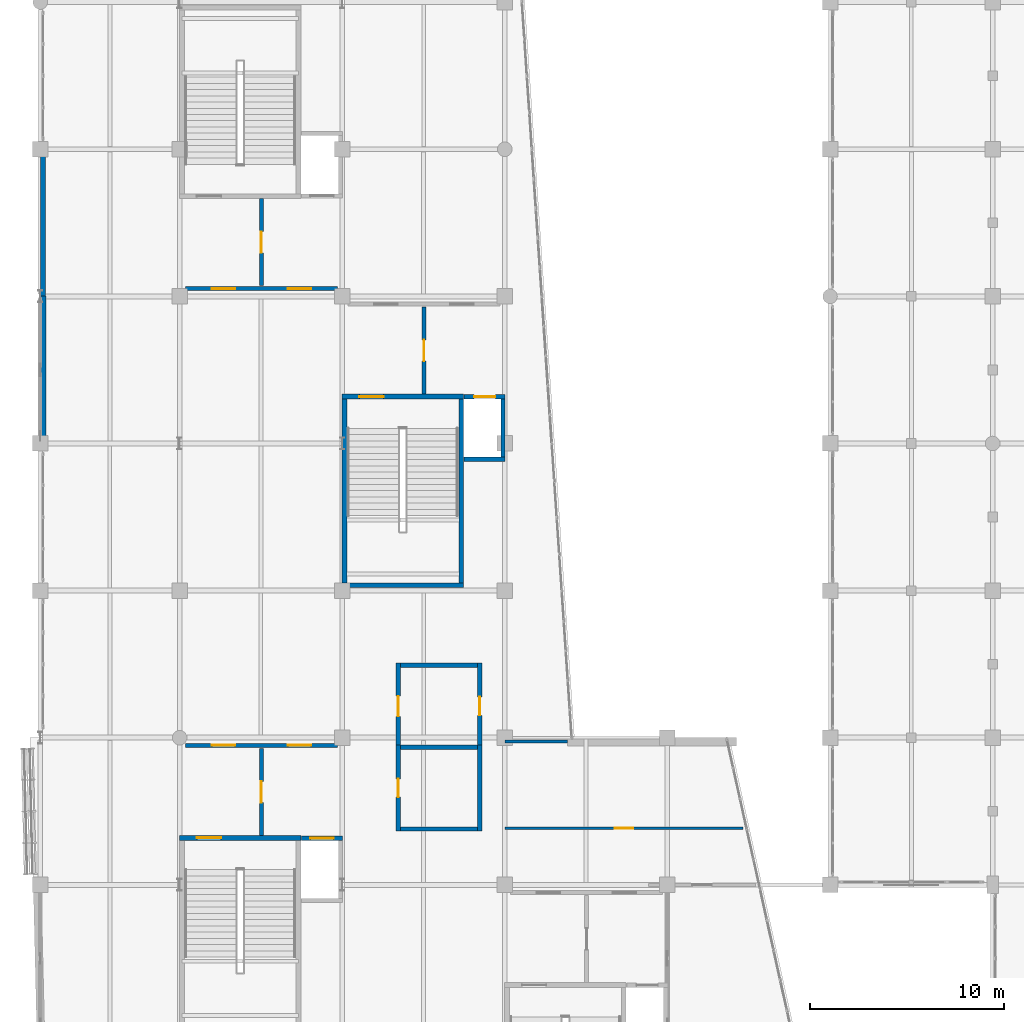
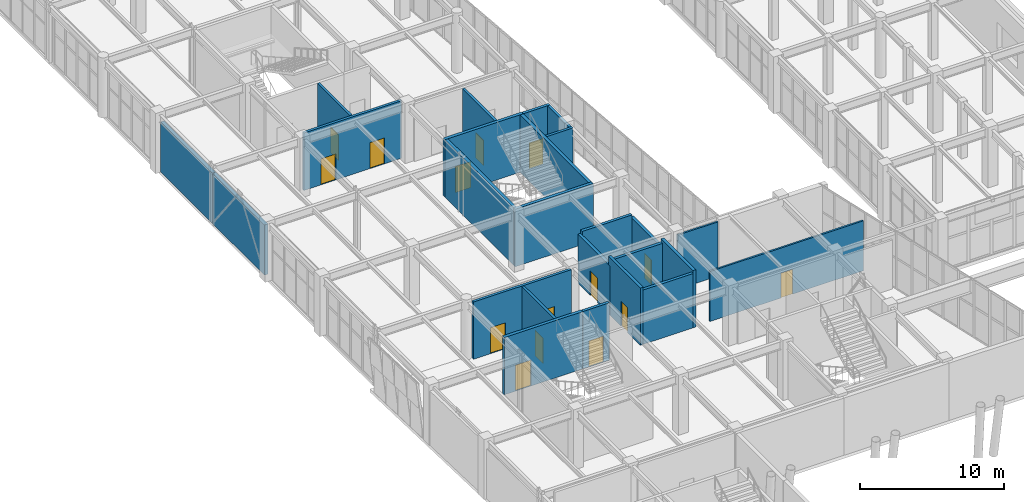
# One storey, part 111 of 128: 25 walls, 15 doors, 15 openings.
"""IFC4 building model written with IfcOpenShell, lengths in metres."""

import ifcopenshell
import ifcopenshell.guid

model = None  # the IFC model being written
_history = None  # IfcOwnerHistory: only IFC2X3 demands one
_inside = {}  # id of a spatial element -> (the spatial element, [elements in it])
_under = {}  # id of a project, library or spatial element -> (it, [spatial elements below it])
_declared = {}  # id of a project -> (the project, [libraries it declares])
_typed = {}  # id of a type object -> (the type object, [elements of that type])
_made_of = {}  # id of a material, layer set ... -> (it, [elements and type objects made of it])


def new_model(schema):
    """Start an empty IFC model of exactly this schema.

    Asked for "IFC4X3", IfcOpenShell would pick the latest addendum, in which some entities
    have other attributes; the version numbers below select the first issue.
    IFC2X3 requires an IfcOwnerHistory on every rooted entity: one is made here for all.
    """
    global model, _history
    if schema == "IFC4X3":
        model = ifcopenshell.file(schema_version=(4, 3, 0, 0))
    else:
        model = ifcopenshell.file(schema=schema)
    _inside.clear()
    _under.clear()
    _declared.clear()
    _typed.clear()
    _made_of.clear()
    _history = None
    if model.schema == "IFC2X3":
        org = make("IfcOrganization", Name="unknown")
        user = make(
            "IfcPersonAndOrganization",
            ThePerson=make("IfcPerson", FamilyName="unknown"),
            TheOrganization=org,
        )
        app = make(
            "IfcApplication",
            ApplicationDeveloper=org,
            Version="unknown",
            ApplicationFullName="unknown",
            ApplicationIdentifier="unknown",
        )
        _history = make(
            "IfcOwnerHistory",
            OwningUser=user,
            OwningApplication=app,
            ChangeAction="ADDED",
            CreationDate=0,
        )
    return model


def make(cls, **values):
    """One entity of the class cls with the attributes given. An attribute that is None is left unset."""
    return model.create_entity(
        cls, **{name: value for name, value in values.items() if value is not None}
    )


def rooted(cls, **values):
    """An entity with a GlobalId (a new one), such as an element, a storey or a relation."""
    return make(cls, GlobalId=ifcopenshell.guid.new(), OwnerHistory=_history, **values)


def si_unit(unit_type, name, prefix=None):
    """IfcSIUnit, for example si_unit("LENGTHUNIT", "METRE", prefix="MILLI")."""
    return make("IfcSIUnit", UnitType=unit_type, Prefix=prefix, Name=name)


def assignment(units):
    """IfcUnitAssignment: the units of a project."""
    return None if units is None else make("IfcUnitAssignment", Units=units)


def point(xyz):
    """IfcCartesianPoint."""
    return None if xyz is None else make("IfcCartesianPoint", Coordinates=xyz)


def direction(xyz):
    """IfcDirection."""
    return None if xyz is None else make("IfcDirection", DirectionRatios=xyz)


def frame(location, z_axis=None, x_axis=None):
    """IfcAxis2Placement3D, a coordinate frame: its origin and axes. An axis left out is left unset."""
    return make(
        "IfcAxis2Placement3D",
        Location=point(location),
        Axis=direction(z_axis),
        RefDirection=direction(x_axis),
    )


def frame_2d(location, x_axis=None):
    """IfcAxis2Placement2D, a coordinate frame in the plane: its origin and x axis."""
    return make(
        "IfcAxis2Placement2D", Location=point(location), RefDirection=direction(x_axis)
    )


def origin():
    """The frame at (0, 0, 0) with its axes left unset."""
    return frame((0.0, 0.0, 0.0))


def place(relative_to, where):
    """IfcLocalPlacement: puts the frame where relative to a parent placement (None: the world)."""
    return make(
        "IfcLocalPlacement", PlacementRelTo=relative_to, RelativePlacement=where
    )


def context(
    kind, dimensions, precision=None, world=None, true_north=None, identifier=None
):
    """IfcGeometricRepresentationContext, for example the 3D "Model" context."""
    return make(
        "IfcGeometricRepresentationContext",
        ContextIdentifier=identifier,
        ContextType=kind,
        CoordinateSpaceDimension=dimensions,
        Precision=precision,
        WorldCoordinateSystem=world,
        TrueNorth=true_north,
    )


def subcontext(parent, identifier, kind, view, scale=None):
    """IfcGeometricRepresentationSubContext, for example "Body" below "Model"."""
    return make(
        "IfcGeometricRepresentationSubContext",
        ContextIdentifier=identifier,
        ContextType=kind,
        ParentContext=parent,
        TargetScale=scale,
        TargetView=view,
    )


def project(units=None, contexts=None):
    """IfcProject with its units and contexts."""
    return rooted(
        "IfcProject",
        Name="project",
        RepresentationContexts=contexts,
        UnitsInContext=assignment(units),
    )


def spatial(cls, under=None, at=None, **own):
    """A site, building, storey or space (cls), placed at a placement, below another one or the project."""
    s = rooted(cls, ObjectPlacement=at, **own)
    if under is not None:
        _under.setdefault(under.id(), (under, []))[1].append(s)
    return s


def profile(cls, at=None, kind="AREA", **sizes):
    """A parametric profile (cls). Its sizes go by their IFC names, for example OverallWidth=200.0."""
    return make(cls, ProfileType=kind, Position=at, **sizes)


def rectangle(**sizes):
    """IfcRectangleProfileDef."""
    return profile("IfcRectangleProfileDef", **sizes)


def extrude(swept, where, along, depth):
    """IfcExtrudedAreaSolid: the profile swept, set in the frame where, extruded along a direction by depth."""
    return make(
        "IfcExtrudedAreaSolid",
        SweptArea=swept,
        Position=where,
        ExtrudedDirection=direction(along),
        Depth=depth,
    )


def shape(context_of_items, identifier, shape_type, items):
    """IfcShapeRepresentation: the items that make up one representation, for example the "Body"."""
    return make(
        "IfcShapeRepresentation",
        ContextOfItems=context_of_items,
        RepresentationIdentifier=identifier,
        RepresentationType=shape_type,
        Items=items,
    )


def material(Name=None, Category=None):
    """IfcMaterial."""
    return make("IfcMaterial", Name=Name, Category=Category)


def layer(
    of_material, thickness, ventilated=None, Name=None, Category=None, Priority=None
):
    """IfcMaterialLayer: one layer of a wall or slab, of a material (None: an air gap)."""
    return make(
        "IfcMaterialLayer",
        Material=of_material,
        LayerThickness=thickness,
        IsVentilated=ventilated,
        Name=Name,
        Category=Category,
        Priority=Priority,
    )


def layer_set(layers, Name=None):
    """IfcMaterialLayerSet."""
    return make("IfcMaterialLayerSet", MaterialLayers=layers, LayerSetName=Name)


def made_of(thing, what):
    """Note that an element or type object is made of a material, layer set ...; save() writes the relation."""
    if what is not None:
        _made_of.setdefault(what.id(), (what, []))[1].append(thing)
    return thing


def type_object(cls, material=None, **own):
    """A type object (cls), such as IfcWallType, which elements share."""
    return made_of(rooted(cls, **own), material)


def element(
    cls,
    number,
    at=None,
    inside=None,
    cuts=None,
    type_object=None,
    material=None,
    context=None,
    identifier="Body",
    shape_type=None,
    held_by="IfcProductDefinitionShape",
    body=None,
    shapes=None,
    **own,
):
    """One element of the class cls, such as IfcWall. Its Tag is "e" and its number.

    at: its placement. inside: the storey or other place that contains it. cuts: it is an
    opening in that element (IfcRelVoidsElement). A single representation is given by context,
    identifier, shape_type and body (its items); several are given by shapes. held_by: the class
    of the entity that holds the representations. save() writes the other relations.
    """
    e = rooted(cls, Tag="e%d" % number, ObjectPlacement=at, **own)
    if body is not None:
        shapes = [shape(context, identifier, shape_type, body)]
    if shapes is not None:
        e.Representation = make(held_by, Representations=shapes)
    if inside is not None:
        _inside.setdefault(inside.id(), (inside, []))[1].append(e)
    if cuts is not None:
        rooted(
            "IfcRelVoidsElement", RelatingBuildingElement=cuts, RelatedOpeningElement=e
        )
    if type_object is not None:
        _typed.setdefault(type_object.id(), (type_object, []))[1].append(e)
    return made_of(e, material)


def fill(opening, filler):
    """IfcRelFillsElement: the door or window that sits in an opening."""
    return rooted(
        "IfcRelFillsElement",
        RelatingOpeningElement=opening,
        RelatedBuildingElement=filler,
    )


def aggregate(whole, parts):
    """IfcRelAggregates: a whole, such as a stair, and the parts it consists of."""
    return rooted("IfcRelAggregates", RelatingObject=whole, RelatedObjects=parts)


def save(model, path):
    """Write the relations noted so far, then the file.

    IfcRelAggregates (storeys below a building ...), IfcRelContainedInSpatialStructure (elements
    in a storey), IfcRelDefinesByType, IfcRelAssociatesMaterial and IfcRelDeclares: one each for
    every whole, place, type object, material and project.
    """
    for whole, parts in _under.values():
        aggregate(whole, parts)
    for where, things in _inside.values():
        rooted(
            "IfcRelContainedInSpatialStructure",
            RelatedElements=things,
            RelatingStructure=where,
        )
    for kind, things in _typed.values():
        rooted("IfcRelDefinesByType", RelatedObjects=things, RelatingType=kind)
    for what, things in _made_of.values():
        rooted("IfcRelAssociatesMaterial", RelatedObjects=things, RelatingMaterial=what)
    for by, libraries in _declared.values():
        rooted("IfcRelDeclares", RelatingContext=by, RelatedDefinitions=libraries)
    model.write(path)


model = new_model("IFC4")

# Units and contexts
model_context = context("Model", 3, precision=1e-05, world=origin(), true_north=direction((0.0, 1.0)))
body_context = subcontext(model_context, "Body", "Model", "MODEL_VIEW")
ifc_project = project(units=[si_unit("LENGTHUNIT", "METRE"), si_unit("AREAUNIT", "SQUARE_METRE"), si_unit("VOLUMEUNIT", "CUBIC_METRE"), si_unit("PLANEANGLEUNIT", "RADIAN"), si_unit("MASSUNIT", "GRAM", prefix="KILO")], contexts=[model_context])

# Site, building, storey
site_placement = place(None, origin())
site = spatial("IfcSite", under=ifc_project, at=site_placement, CompositionType="ELEMENT")
building_placement = place(site_placement, origin())
building = spatial("IfcBuilding", under=site, at=building_placement, Name="Xicomal Pleat Aquarium", CompositionType="ELEMENT")
storey_placement = place(building_placement, frame((0.0, 0.0, 5.39990234375)))
storey = spatial("IfcBuildingStorey", under=building, at=storey_placement, Name="L02", CompositionType="ELEMENT", Elevation=5.39990234375)

# Wall, opening, door
ifc_material_1 = material(Name="Concrete C40/50", Category="concrete")
ifc_layer_1 = layer(ifc_material_1, 0.219970703125)
ifc_layer_set_1 = layer_set([ifc_layer_1], Name="Concrete C40/50")
wall_type_1 = type_object("IfcWallType", Name="WAL-COR-220", PredefinedType="SHEAR", material=ifc_layer_set_1)
wall_1_placement = place(storey_placement, frame((16.5, 32.81005859375, 0.0), z_axis=(0.0, 0.0, 1.0), x_axis=(1.0, 0.0, 0.0)))
wall_1 = element("IfcWall", 1, at=wall_1_placement, inside=storey, type_object=wall_type_1, Name="L02 LF-01 lift shaft wall CW-L02-C1-LN", PredefinedType="SHEAR", context=body_context, shape_type="SweptSolid", body=[
    extrude(rectangle(XDim=2.1201171875, YDim=0.219970703125, at=frame_2d((1.06005859375, 0.0))), origin(), (0.0, 0.0, 1.0), 4.860107421875),
])
opening_1_placement = place(wall_1_placement, frame((0.4599609375, 0.0, 0.0)))
opening_1 = element("IfcOpeningElement", 2, at=opening_1_placement, cuts=wall_1, Name="Opening LD-01-L02", PredefinedType="OPENING", context=body_context, shape_type="SweptSolid", body=[
    extrude(rectangle(XDim=1.199951171875, YDim=2.199951171875, at=frame_2d((0.60009765625, 1.10009765625))), frame((0.0, 0.119873046875, 0.0), z_axis=(0.0, -1.0, 0.0), x_axis=(1.0, 0.0, 0.0)), (0.0, 0.0, 1.0), 0.239990234375),
])
ifc_material_2 = material(Name="Brushed stainless steel 304", Category="steel")
door_type_1 = type_object("IfcDoorType", Name="DOR-LD-1200x2200", OperationType="DOUBLE_DOOR_SLIDING", PredefinedType="DOOR", material=ifc_material_2)
door_1_placement = place(opening_1_placement, origin())
door_1 = element("IfcDoor", 3, at=door_1_placement, inside=storey, type_object=door_type_1, Name="L02 LF-01 sliding lift landing door", OperationType="DOUBLE_DOOR_SLIDING", OverallHeight=2.199951171875, OverallWidth=1.199951171875, PredefinedType="DOOR", context=body_context, shape_type="SweptSolid", body=[
    extrude(rectangle(XDim=1.199951171875, YDim=2.199951171875, at=frame_2d((0.60009765625, 1.10009765625))), frame((0.0, 0.02490234375, 0.0), z_axis=(0.0, -1.0, 0.0), x_axis=(1.0, 0.0, 0.0)), (0.0, 0.0, 1.0), 0.050048828125),
])
fill(opening_1, door_1)

# Wall
wall_2_placement = place(storey_placement, frame((24.89990234375, 52.389892578125, 0.0), z_axis=(0.0, 0.0, 1.0), x_axis=(1.0, 0.0, 0.0)))
element("IfcWall", 4, at=wall_2_placement, inside=storey, type_object=wall_type_1, Name="L02 LF-04 lift shaft wall CW-L02-C4-LS", PredefinedType="SHEAR", context=body_context, shape_type="SweptSolid", body=[
    extrude(rectangle(XDim=2.1201171875, YDim=0.219970703125, at=frame_2d((1.06005859375, 0.0))), origin(), (0.0, 0.0, 1.0), 4.875),
])

# Wall, opening, door
wall_3_placement = place(storey_placement, frame((24.89990234375, 55.610107421875, 0.0), z_axis=(0.0, 0.0, 1.0), x_axis=(1.0, 0.0, 0.0)))
wall_3 = element("IfcWall", 5, at=wall_3_placement, inside=storey, type_object=wall_type_1, Name="L02 LF-04 lift shaft wall CW-L02-C4-LN", PredefinedType="SHEAR", context=body_context, shape_type="SweptSolid", body=[
    extrude(rectangle(XDim=2.1201171875, YDim=0.219970703125, at=frame_2d((1.06005859375, 0.0))), origin(), (0.0, 0.0, 1.0), 4.875),
])
opening_2_placement = place(wall_3_placement, frame((0.510009765625, 0.0, 0.0)))
opening_2 = element("IfcOpeningElement", 6, at=opening_2_placement, cuts=wall_3, Name="Opening LD-04-L02", PredefinedType="OPENING", context=body_context, shape_type="SweptSolid", body=[
    extrude(rectangle(XDim=1.10009765625, YDim=2.14990234375, at=frame_2d((0.550048828125, 1.074951171875))), frame((0.0, 0.119873046875, 0.0), z_axis=(0.0, -1.0, 0.0), x_axis=(1.0, 0.0, 0.0)), (0.0, 0.0, 1.0), 0.239990234375),
])
ifc_material_3 = material(Name="Brushed stainless steel 304", Category="steel")
door_type_2 = type_object("IfcDoorType", Name="DOR-LD-1100x2150", OperationType="DOUBLE_DOOR_SLIDING", PredefinedType="DOOR", material=ifc_material_3)
door_2_placement = place(opening_2_placement, origin())
door_2 = element("IfcDoor", 7, at=door_2_placement, inside=storey, type_object=door_type_2, Name="L02 LF-04 sliding lift landing door", OperationType="DOUBLE_DOOR_SLIDING", OverallHeight=2.14990234375, OverallWidth=1.10009765625, PredefinedType="DOOR", context=body_context, shape_type="SweptSolid", body=[
    extrude(rectangle(XDim=1.10009765625, YDim=2.14990234375, at=frame_2d((0.550048828125, 1.074951171875))), frame((0.0, 0.02490234375, 0.0), z_axis=(0.0, -1.0, 0.0), x_axis=(1.0, 0.0, 0.0)), (0.0, 0.0, 1.0), 0.050048828125),
])
fill(opening_2, door_2)

# Wall
wall_4_placement = place(storey_placement, frame((26.909912109375, 52.5, 0.0), z_axis=(0.0, 0.0, 1.0), x_axis=(0.0, 1.0, 0.0)))
element("IfcWall", 8, at=wall_4_placement, inside=storey, type_object=wall_type_1, Name="L02 LF-04 lift shaft wall CW-L02-C4-LE", PredefinedType="SHEAR", context=body_context, shape_type="SweptSolid", body=[
    extrude(rectangle(XDim=3.0, YDim=0.219970703125, at=frame_2d((1.5, 0.0))), origin(), (0.0, 0.0, 1.0), 4.875),
])

# Wall, opening, door
ifc_material_4 = material(Name="Concrete C40/50", Category="concrete")
ifc_layer_2 = layer(ifc_material_4, 0.25)
ifc_layer_set_2 = layer_set([ifc_layer_2], Name="Concrete C40/50")
wall_type_2 = type_object("IfcWallType", Name="WAL-COR-250", PredefinedType="SHEAR", material=ifc_layer_set_2)
wall_5_placement = place(storey_placement, frame((10.18994140625, 32.824951171875, 0.0), z_axis=(0.0, 0.0, 1.0), x_axis=(1.0, 0.0, 0.0)))
wall_5 = element("IfcWall", 9, at=wall_5_placement, inside=storey, type_object=wall_type_2, Name="L02 CORE-1 stair shear wall CW-L02-C1-SN", PredefinedType="SHEAR", context=body_context, shape_type="SweptSolid", body=[
    extrude(rectangle(XDim=6.280029296875, YDim=0.25, at=frame_2d((3.14013671875, 0.0))), origin(), (0.0, 0.0, 1.0), 4.860107421875),
])
opening_3_placement = place(wall_5_placement, frame((0.89990234375, 0.0, 0.0)))
opening_3 = element("IfcOpeningElement", 10, at=opening_3_placement, cuts=wall_5, Name="Opening SD-01-L02", PredefinedType="OPENING", context=body_context, shape_type="SweptSolid", body=[
    extrude(rectangle(XDim=1.25, YDim=2.199951171875, at=frame_2d((0.625, 1.10009765625))), frame((0.0, 0.135009765625, 0.0), z_axis=(0.0, -1.0, 0.0), x_axis=(1.0, 0.0, 0.0)), (0.0, 0.0, 1.0), 0.27001953125),
])
ifc_material_5 = material(Name="Powder-coated steel fire door", Category="steel")
door_type_3 = type_object("IfcDoorType", Name="DOR-ST-1250x2200", OperationType="NOTDEFINED", PredefinedType="DOOR", material=ifc_material_5)
door_3_placement = place(opening_3_placement, origin())
door_3 = element("IfcDoor", 11, at=door_3_placement, inside=storey, type_object=door_type_3, Name="L02 ST-01 protected stair door", OperationType="SINGLE_SWING_LEFT", OverallHeight=2.199951171875, OverallWidth=1.25, PredefinedType="DOOR", context=body_context, shape_type="SweptSolid", body=[
    extrude(rectangle(XDim=1.25, YDim=2.199951171875, at=frame_2d((0.625, 1.10009765625))), frame((0.0, 0.02490234375, 0.0), z_axis=(0.0, -1.0, 0.0), x_axis=(1.0, 0.0, 0.0)), (0.0, 0.0, 1.0), 0.050048828125),
])
fill(opening_3, door_3)

# Wall
wall_6_placement = place(storey_placement, frame((18.590087890625, 45.875, 0.0), z_axis=(0.0, 0.0, 1.0), x_axis=(1.0, 0.0, 0.0)))
element("IfcWall", 12, at=wall_6_placement, inside=storey, type_object=wall_type_2, Name="L02 CORE-4 stair shear wall CW-L02-C4-SS", PredefinedType="SHEAR", context=body_context, shape_type="SweptSolid", body=[
    extrude(rectangle(XDim=6.280029296875, YDim=0.25, at=frame_2d((3.14013671875, 0.0))), origin(), (0.0, 0.0, 1.0), 4.875),
])

# Wall, opening, door
wall_7_placement = place(storey_placement, frame((18.590087890625, 55.625, 0.0), z_axis=(0.0, 0.0, 1.0), x_axis=(1.0, 0.0, 0.0)))
wall_7 = element("IfcWall", 13, at=wall_7_placement, inside=storey, type_object=wall_type_2, Name="L02 CORE-4 stair shear wall CW-L02-C4-SN", PredefinedType="SHEAR", context=body_context, shape_type="SweptSolid", body=[
    extrude(rectangle(XDim=6.280029296875, YDim=0.25, at=frame_2d((3.14013671875, 0.0))), origin(), (0.0, 0.0, 1.0), 4.875),
])
opening_4_placement = place(wall_7_placement, frame((0.89990234375, 0.0, 0.0)))
opening_4 = element("IfcOpeningElement", 14, at=opening_4_placement, cuts=wall_7, Name="Opening SD-04-L02", PredefinedType="OPENING", context=body_context, shape_type="SweptSolid", body=[
    extrude(rectangle(XDim=1.25, YDim=2.199951171875, at=frame_2d((0.625, 1.10009765625))), frame((0.0, 0.135009765625, 0.0), z_axis=(0.0, -1.0, 0.0), x_axis=(1.0, 0.0, 0.0)), (0.0, 0.0, 1.0), 0.27001953125),
])
door_4_placement = place(opening_4_placement, origin())
door_4 = element("IfcDoor", 15, at=door_4_placement, inside=storey, type_object=door_type_3, Name="L02 ST-04 protected stair door", OperationType="SINGLE_SWING_LEFT", OverallHeight=2.199951171875, OverallWidth=1.25, PredefinedType="DOOR", context=body_context, shape_type="SweptSolid", body=[
    extrude(rectangle(XDim=1.25, YDim=2.199951171875, at=frame_2d((0.625, 1.10009765625))), frame((0.0, 0.02490234375, 0.0), z_axis=(0.0, -1.0, 0.0), x_axis=(1.0, 0.0, 0.0)), (0.0, 0.0, 1.0), 0.050048828125),
])
fill(opening_4, door_4)

# Walls
for number, where, z_axis, x_axis, name in (
    (16, (18.715087890625, 46.0, 0.0), (0.0, 0.0, 1.0), (0.0, 1.0, 0.0), "L02 CORE-4 stair shear wall CW-L02-C4-SW"),
    (17, (24.7451171875, 46.0, 0.0), (0.0, 0.0, 1.0), (0.0, 1.0, 0.0), "L02 CORE-4 stair shear wall CW-L02-C4-SE"),
):
    element("IfcWall", number, at=place(storey_placement, frame(where, z_axis=z_axis, x_axis=x_axis)), inside=storey, type_object=wall_type_2, Name=name, PredefinedType="SHEAR", context=body_context, shape_type="SweptSolid", body=[
        extrude(rectangle(XDim=9.5, YDim=0.25, at=frame_2d((4.75, 0.0))), origin(), (0.0, 0.0, 1.0), 4.875),
    ])
ifc_material_6 = material(Name="Precast concrete C40/50", Category="concrete")
ifc_layer_3 = layer(ifc_material_6, 0.280029296875)
ifc_layer_set_3 = layer_set([ifc_layer_3], Name="Precast concrete C40/50")
wall_type_3 = type_object("IfcWallType", Name="WAL-EXT-PRC-280", PredefinedType="SOLIDWALL", material=ifc_layer_set_3)
wall_8_placement = place(storey_placement, frame((3.139892578125, 60.820068359375, 0.0), z_axis=(0.0, 0.0, 1.0), x_axis=(0.0, 1.0, 0.0)))
element("IfcWall", 18, at=wall_8_placement, inside=storey, type_object=wall_type_3, Name="L02 exterior basalt-precast wall EW-L02-074", PredefinedType="SOLIDWALL", context=body_context, shape_type="SweptSolid", body=[
    extrude(rectangle(XDim=7.19482421875, YDim=0.280029296875, at=frame_2d((3.597412109375, 0.0))), origin(), (0.0, 0.0, 1.0), 4.253173828125),
])
ifc_material_7 = material(Name="Precast concrete C40/50", Category="concrete")
ifc_layer_4 = layer(ifc_material_7, 0.2900390625)
ifc_layer_set_4 = layer_set([ifc_layer_4], Name="Precast concrete C40/50")
wall_type_4 = type_object("IfcWallType", Name="WAL-EXT-PRC-290", PredefinedType="SOLIDWALL", material=ifc_layer_set_4)
wall_9_placement = place(storey_placement, frame((3.14501953125, 53.5849609375, 0.0), z_axis=(0.0, 0.0, 1.0), x_axis=(0.0, 1.0, 0.0)))
element("IfcWall", 19, at=wall_9_placement, inside=storey, type_object=wall_type_4, Name="L02 exterior basalt-precast wall EW-L02-073", PredefinedType="SOLIDWALL", context=body_context, shape_type="SweptSolid", body=[
    extrude(rectangle(XDim=7.235107421875, YDim=0.2900390625, at=frame_2d((3.61767578125, 0.0))), origin(), (0.0, 0.0, 1.0), 4.253173828125),
])

# Wall, opening, door
ifc_material_8 = material(Name="Water-resistant cement-board wet-lab partition", Category="gypsum")
ifc_layer_5 = layer(ifc_material_8, 0.22998046875)
ifc_layer_set_5 = layer_set([ifc_layer_5], Name="Water-resistant cement-board wet-lab partition")
wall_type_5 = type_object("IfcWallType", Name="WAL-PLB-230", PredefinedType="PLUMBINGWALL", material=ifc_layer_set_5)
wall_10_placement = place(storey_placement, frame((21.485107421875, 33.169921875, 0.0), z_axis=(0.0, 0.0, 1.0), x_axis=(0.0, 1.0, 0.0)))
wall_10 = element("IfcWall", 20, at=wall_10_placement, inside=storey, type_object=wall_type_5, Name="L02 enclosed toilet partition PT-L02-036", PredefinedType="PLUMBINGWALL", context=body_context, shape_type="SweptSolid", body=[
    extrude(rectangle(XDim=4.4599609375, YDim=0.22998046875, at=frame_2d((2.22998046875, 0.0))), origin(), (0.0, 0.0, 1.0), 4.860107421875),
])
opening_5_placement = place(wall_10_placement, frame((1.7548828125, 0.0, 0.0)))
opening_5 = element("IfcOpeningElement", 21, at=opening_5_placement, cuts=wall_10, Name="Opening DR-L02-019", PredefinedType="OPENING", context=body_context, shape_type="SweptSolid", body=[
    extrude(rectangle(XDim=0.949951171875, YDim=2.10009765625, at=frame_2d((0.47509765625, 1.050048828125))), frame((0.0, 0.125, 0.0), z_axis=(0.0, -1.0, 0.0), x_axis=(1.0, 0.0, 0.0)), (0.0, 0.0, 1.0), 0.25),
])
ifc_material_9 = material(Name="Solid-core hardwood and anodized aluminium frame", Category="wood")
door_type_4 = type_object("IfcDoorType", Name="DOR-WC-0950x2100", OperationType="NOTDEFINED", PredefinedType="DOOR", material=ifc_material_9)
door_5_placement = place(opening_5_placement, origin())
door_5 = element("IfcDoor", 22, at=door_5_placement, inside=storey, type_object=door_type_4, Name="L02 Public Toilet door DR-L02-019", OperationType="SINGLE_SWING_RIGHT", OverallHeight=2.10009765625, OverallWidth=0.949951171875, PredefinedType="DOOR", context=body_context, shape_type="SweptSolid", body=[
    extrude(rectangle(XDim=0.949951171875, YDim=2.10009765625, at=frame_2d((0.47509765625, 1.050048828125))), frame((0.0, 0.02490234375, 0.0), z_axis=(0.0, -1.0, 0.0), x_axis=(1.0, 0.0, 0.0)), (0.0, 0.0, 1.0), 0.050048828125),
])
fill(opening_5, door_5)

# Walls
wall_11_placement = place(storey_placement, frame((25.715087890625, 33.169921875, 0.0), z_axis=(0.0, 0.0, 1.0), x_axis=(0.0, 1.0, 0.0)))
element("IfcWall", 23, at=wall_11_placement, inside=storey, type_object=wall_type_5, Name="L02 enclosed toilet partition PT-L02-037", PredefinedType="PLUMBINGWALL", context=body_context, shape_type="SweptSolid", body=[
    extrude(rectangle(XDim=4.4599609375, YDim=0.22998046875, at=frame_2d((2.22998046875, 0.0))), origin(), (0.0, 0.0, 1.0), 4.860107421875),
])
for number, where, z_axis, x_axis, name in (
    (24, (21.60009765625, 33.284912109375, 0.0), (0.0, 0.0, 1.0), (1.0, 0.0, 0.0), "L02 enclosed toilet partition PT-L02-038"),
    (25, (21.60009765625, 37.514892578125, 0.0), (0.0, 0.0, 1.0), (1.0, 0.0, 0.0), "L02 enclosed toilet partition PT-L02-039"),
):
    element("IfcWall", number, at=place(storey_placement, frame(where, z_axis=z_axis, x_axis=x_axis)), inside=storey, type_object=wall_type_5, Name=name, PredefinedType="PLUMBINGWALL", context=body_context, shape_type="SweptSolid", body=[
        extrude(rectangle(XDim=4.0, YDim=0.22998046875, at=frame_2d((2.0, 0.0))), origin(), (0.0, 0.0, 1.0), 4.608154296875),
    ])

# Wall, opening, door
wall_12_placement = place(storey_placement, frame((21.485107421875, 37.39990234375, 0.0), z_axis=(0.0, 0.0, 1.0), x_axis=(0.0, 1.0, 0.0)))
wall_12 = element("IfcWall", 26, at=wall_12_placement, inside=storey, type_object=wall_type_5, Name="L02 enclosed toilet partition PT-L02-040", PredefinedType="PLUMBINGWALL", context=body_context, shape_type="SweptSolid", body=[
    extrude(rectangle(XDim=4.460205078125, YDim=0.22998046875, at=frame_2d((2.22998046875, 0.0))), origin(), (0.0, 0.0, 1.0), 4.162109375),
])
opening_6_placement = place(wall_12_placement, frame((1.705078125, 0.0, 0.0)))
opening_6 = element("IfcOpeningElement", 27, at=opening_6_placement, cuts=wall_12, Name="Opening DR-L02-020", PredefinedType="OPENING", context=body_context, shape_type="SweptSolid", body=[
    extrude(rectangle(XDim=1.050048828125, YDim=2.10009765625, at=frame_2d((0.52490234375, 1.050048828125))), frame((0.0, 0.125, 0.0), z_axis=(0.0, -1.0, 0.0), x_axis=(1.0, 0.0, 0.0)), (0.0, 0.0, 1.0), 0.25),
])
ifc_material_10 = material(Name="Solid-core hardwood and anodized aluminium frame", Category="wood")
door_type_5 = type_object("IfcDoorType", Name="DOR-AWC-1050x2100", OperationType="NOTDEFINED", PredefinedType="DOOR", material=ifc_material_10)
door_6_placement = place(opening_6_placement, origin())
door_6 = element("IfcDoor", 28, at=door_6_placement, inside=storey, type_object=door_type_5, Name="L02 Accessible Toilet door DR-L02-020", OperationType="SINGLE_SWING_LEFT", OverallHeight=2.10009765625, OverallWidth=1.050048828125, PredefinedType="DOOR", context=body_context, shape_type="SweptSolid", body=[
    extrude(rectangle(XDim=1.050048828125, YDim=2.10009765625, at=frame_2d((0.52490234375, 1.050048828125))), frame((0.0, 0.02490234375, 0.0), z_axis=(0.0, -1.0, 0.0), x_axis=(1.0, 0.0, 0.0)), (0.0, 0.0, 1.0), 0.050048828125),
])
fill(opening_6, door_6)

wall_13_placement = place(storey_placement, frame((25.715087890625, 37.39990234375, 0.0), z_axis=(0.0, 0.0, 1.0), x_axis=(0.0, 1.0, 0.0)))
wall_13 = element("IfcWall", 29, at=wall_13_placement, inside=storey, type_object=wall_type_5, Name="L02 enclosed toilet partition PT-L02-041", PredefinedType="PLUMBINGWALL", context=body_context, shape_type="SweptSolid", body=[
    extrude(rectangle(XDim=4.460205078125, YDim=0.22998046875, at=frame_2d((2.22998046875, 0.0))), origin(), (0.0, 0.0, 1.0), 4.162109375),
])
opening_7_placement = place(wall_13_placement, frame((1.7548828125, 0.0, 0.0)))
opening_7 = element("IfcOpeningElement", 30, at=opening_7_placement, cuts=wall_13, Name="Opening DR-L02-023", PredefinedType="OPENING", context=body_context, shape_type="SweptSolid", body=[
    extrude(rectangle(XDim=0.949951171875, YDim=2.10009765625, at=frame_2d((0.47509765625, 1.050048828125))), frame((0.0, 0.125, 0.0), z_axis=(0.0, -1.0, 0.0), x_axis=(1.0, 0.0, 0.0)), (0.0, 0.0, 1.0), 0.25),
])
door_7_placement = place(opening_7_placement, origin())
door_7 = element("IfcDoor", 31, at=door_7_placement, inside=storey, type_object=door_type_4, Name="L02 Highland Wetland Salamander Exhibit Gallery door DR-L02-023", OperationType="SINGLE_SWING_RIGHT", OverallHeight=2.10009765625, OverallWidth=0.949951171875, PredefinedType="DOOR", context=body_context, shape_type="SweptSolid", body=[
    extrude(rectangle(XDim=0.949951171875, YDim=2.10009765625, at=frame_2d((0.47509765625, 1.050048828125))), frame((0.0, 0.02490234375, 0.0), z_axis=(0.0, -1.0, 0.0), x_axis=(1.0, 0.0, 0.0)), (0.0, 0.0, 1.0), 0.050048828125),
])
fill(opening_7, door_7)

# Walls
wall_14_placement = place(storey_placement, frame((21.60009765625, 41.7451171875, 0.0), z_axis=(0.0, 0.0, 1.0), x_axis=(1.0, 0.0, 0.0)))
element("IfcWall", 32, at=wall_14_placement, inside=storey, type_object=wall_type_5, Name="L02 enclosed toilet partition PT-L02-042", PredefinedType="PLUMBINGWALL", context=body_context, shape_type="SweptSolid", body=[
    extrude(rectangle(XDim=4.0, YDim=0.22998046875, at=frame_2d((2.0, 0.0))), origin(), (0.0, 0.0, 1.0), 4.453125),
])
ifc_material_11 = material(Name="Acoustic double-stud drywall partition", Category="gypsum")
ifc_layer_6 = layer(ifc_material_11, 0.139892578125)
ifc_layer_set_6 = layer_set([ifc_layer_6], Name="Acoustic double-stud drywall partition")
wall_type_6 = type_object("IfcWallType", Name="WAL-PRT-140", PredefinedType="PARTITIONING", material=ifc_layer_set_6)
wall_15_placement = place(storey_placement, frame((27.0, 37.800048828125, 0.0), z_axis=(0.0, 0.0, 1.0), x_axis=(1.0, 0.0, 0.0)))
element("IfcWall", 33, at=wall_15_placement, inside=storey, type_object=wall_type_6, Name="L02 interior partition PT-L02-045", PredefinedType="PARTITIONING", context=body_context, shape_type="SweptSolid", body=[
    extrude(rectangle(XDim=3.239990234375, YDim=0.139892578125, at=frame_2d((1.6201171875, 0.0))), origin(), (0.0, 0.0, 1.0), 4.60498046875),
])

# Wall, opening, door
ifc_material_12 = material(Name="Acoustic double-stud drywall partition", Category="gypsum")
ifc_layer_7 = layer(ifc_material_12, 0.14599609375)
ifc_layer_set_7 = layer_set([ifc_layer_7], Name="Acoustic double-stud drywall partition")
wall_type_7 = type_object("IfcWallType", Name="WAL-PRT-146", PredefinedType="PARTITIONING", material=ifc_layer_set_7)
wall_16_placement = place(storey_placement, frame((39.31005859375, 33.320068359375, 0.0), z_axis=(0.0, 0.0, 1.0), x_axis=(-1.0, 0.0, 0.0)))
wall_16 = element("IfcWall", 34, at=wall_16_placement, inside=storey, type_object=wall_type_7, Name="L02 interior partition PT-L02-044", PredefinedType="PARTITIONING", context=body_context, shape_type="SweptSolid", body=[
    extrude(rectangle(XDim=12.31005859375, YDim=0.14599609375, at=frame_2d((6.155029296875, 0.0))), origin(), (0.0, 0.0, 1.0), 4.238037109375),
])
opening_8_placement = place(wall_16_placement, frame((5.679931640625, 0.0, 0.0)))
opening_8 = element("IfcOpeningElement", 35, at=opening_8_placement, cuts=wall_16, Name="Opening DR-L02-022", PredefinedType="OPENING", context=body_context, shape_type="SweptSolid", body=[
    extrude(rectangle(XDim=0.949951171875, YDim=2.10009765625, at=frame_2d((0.47509765625, 1.050048828125))), frame((0.0, 0.0830078125, 0.0), z_axis=(0.0, -1.0, 0.0), x_axis=(1.0, 0.0, 0.0)), (0.0, 0.0, 1.0), 0.166015625),
])
door_8_placement = place(opening_8_placement, origin())
door_8 = element("IfcDoor", 36, at=door_8_placement, inside=storey, type_object=door_type_4, Name="L02 Community Marine Discovery Room door DR-L02-022", OperationType="SINGLE_SWING_LEFT", OverallHeight=2.10009765625, OverallWidth=0.949951171875, PredefinedType="DOOR", context=body_context, shape_type="SweptSolid", body=[
    extrude(rectangle(XDim=0.949951171875, YDim=2.10009765625, at=frame_2d((0.47509765625, 1.050048828125))), frame((0.0, 0.02490234375, 0.0), z_axis=(0.0, -1.0, 0.0), x_axis=(1.0, 0.0, 0.0)), (0.0, 0.0, 1.0), 0.050048828125),
])
fill(opening_8, door_8)

ifc_material_13 = material(Name="Acoustic double-stud drywall partition", Category="gypsum")
ifc_layer_8 = layer(ifc_material_13, 0.195068359375)
ifc_layer_set_8 = layer_set([ifc_layer_8], Name="Acoustic double-stud drywall partition")
wall_type_8 = type_object("IfcWallType", Name="WAL-PRT-195", PredefinedType="PARTITIONING", material=ifc_layer_set_8)
wall_17_placement = place(storey_placement, frame((14.425048828125, 32.949951171875, 0.0), z_axis=(0.0, 0.0, 1.0), x_axis=(0.0, 1.0, 0.0)))
wall_17 = element("IfcWall", 37, at=wall_17_placement, inside=storey, type_object=wall_type_8, Name="L02 firefighting lobby smoke divider 1", PredefinedType="PARTITIONING", context=body_context, shape_type="SweptSolid", body=[
    extrude(rectangle(XDim=4.5, YDim=0.195068359375, at=frame_2d((2.25, 0.0))), origin(), (0.0, 0.0, 1.0), 4.860107421875),
])
opening_9_placement = place(wall_17_placement, frame((1.699951171875, 0.0, 0.0)))
opening_9 = element("IfcOpeningElement", 38, at=opening_9_placement, cuts=wall_17, Name="Opening FD-01C-L02", PredefinedType="OPENING", context=body_context, shape_type="SweptSolid", body=[
    extrude(rectangle(XDim=1.10009765625, YDim=2.14990234375, at=frame_2d((0.550048828125, 1.074951171875))), frame((0.0, 0.107421875, 0.0), z_axis=(0.0, -1.0, 0.0), x_axis=(1.0, 0.0, 0.0)), (0.0, 0.0, 1.0), 0.215087890625),
])
ifc_material_14 = material(Name="Powder-coated steel fire door", Category="steel")
door_type_6 = type_object("IfcDoorType", Name="DOR-LAB-1100x2150", OperationType="NOTDEFINED", PredefinedType="DOOR", material=ifc_material_14)
door_9_placement = place(opening_9_placement, origin())
door_9 = element("IfcDoor", 39, at=door_9_placement, inside=storey, type_object=door_type_6, Name="L02 lobby interconnecting fire door 1C", OperationType="SINGLE_SWING_LEFT", OverallHeight=2.14990234375, OverallWidth=1.10009765625, PredefinedType="DOOR", context=body_context, shape_type="SweptSolid", body=[
    extrude(rectangle(XDim=1.10009765625, YDim=2.14990234375, at=frame_2d((0.550048828125, 1.074951171875))), frame((0.0, 0.02490234375, 0.0), z_axis=(0.0, -1.0, 0.0), x_axis=(1.0, 0.0, 0.0)), (0.0, 0.0, 1.0), 0.050048828125),
])
fill(opening_9, door_9)

wall_18_placement = place(storey_placement, frame((14.425048828125, 61.35009765625, 0.0), z_axis=(0.0, 0.0, 1.0), x_axis=(0.0, 1.0, 0.0)))
wall_18 = element("IfcWall", 40, at=wall_18_placement, inside=storey, type_object=wall_type_8, Name="L02 firefighting lobby smoke divider 3", PredefinedType="PARTITIONING", context=body_context, shape_type="SweptSolid", body=[
    extrude(rectangle(XDim=4.5, YDim=0.195068359375, at=frame_2d((2.25, 0.0))), origin(), (0.0, 0.0, 1.0), 4.875),
])
opening_10_placement = place(wall_18_placement, frame((1.699951171875, 0.0, 0.0)))
opening_10 = element("IfcOpeningElement", 41, at=opening_10_placement, cuts=wall_18, Name="Opening FD-03C-L02", PredefinedType="OPENING", context=body_context, shape_type="SweptSolid", body=[
    extrude(rectangle(XDim=1.10009765625, YDim=2.14990234375, at=frame_2d((0.550048828125, 1.074951171875))), frame((0.0, 0.107421875, 0.0), z_axis=(0.0, -1.0, 0.0), x_axis=(1.0, 0.0, 0.0)), (0.0, 0.0, 1.0), 0.215087890625),
])
door_10_placement = place(opening_10_placement, origin())
door_10 = element("IfcDoor", 42, at=door_10_placement, inside=storey, type_object=door_type_6, Name="L02 lobby interconnecting fire door 3C", OperationType="SINGLE_SWING_LEFT", OverallHeight=2.14990234375, OverallWidth=1.10009765625, PredefinedType="DOOR", context=body_context, shape_type="SweptSolid", body=[
    extrude(rectangle(XDim=1.10009765625, YDim=2.14990234375, at=frame_2d((0.550048828125, 1.074951171875))), frame((0.0, 0.02490234375, 0.0), z_axis=(0.0, -1.0, 0.0), x_axis=(1.0, 0.0, 0.0)), (0.0, 0.0, 1.0), 0.050048828125),
])
fill(opening_10, door_10)

wall_19_placement = place(storey_placement, frame((22.824951171875, 55.75, 0.0), z_axis=(0.0, 0.0, 1.0), x_axis=(0.0, 1.0, 0.0)))
wall_19 = element("IfcWall", 43, at=wall_19_placement, inside=storey, type_object=wall_type_8, Name="L02 firefighting lobby smoke divider 4", PredefinedType="PARTITIONING", context=body_context, shape_type="SweptSolid", body=[
    extrude(rectangle(XDim=4.5, YDim=0.195068359375, at=frame_2d((2.25, 0.0))), origin(), (0.0, 0.0, 1.0), 4.875),
])
opening_11_placement = place(wall_19_placement, frame((1.699951171875, 0.0, 0.0)))
opening_11 = element("IfcOpeningElement", 44, at=opening_11_placement, cuts=wall_19, Name="Opening FD-04C-L02", PredefinedType="OPENING", context=body_context, shape_type="SweptSolid", body=[
    extrude(rectangle(XDim=1.10009765625, YDim=2.14990234375, at=frame_2d((0.550048828125, 1.074951171875))), frame((0.0, 0.107421875, 0.0), z_axis=(0.0, -1.0, 0.0), x_axis=(1.0, 0.0, 0.0)), (0.0, 0.0, 1.0), 0.215087890625),
])
door_11_placement = place(opening_11_placement, origin())
door_11 = element("IfcDoor", 45, at=door_11_placement, inside=storey, type_object=door_type_6, Name="L02 lobby interconnecting fire door 4C", OperationType="SINGLE_SWING_LEFT", OverallHeight=2.14990234375, OverallWidth=1.10009765625, PredefinedType="DOOR", context=body_context, shape_type="SweptSolid", body=[
    extrude(rectangle(XDim=1.10009765625, YDim=2.14990234375, at=frame_2d((0.550048828125, 1.074951171875))), frame((0.0, 0.02490234375, 0.0), z_axis=(0.0, -1.0, 0.0), x_axis=(1.0, 0.0, 0.0)), (0.0, 0.0, 1.0), 0.050048828125),
])
fill(opening_11, door_11)

# Wall, openings, doors
ifc_material_15 = material(Name="Fire-rated gypsum and mineral-wool partition", Category="gypsum")
ifc_layer_9 = layer(ifc_material_15, 0.2099609375)
ifc_layer_set_9 = layer_set([ifc_layer_9], Name="Fire-rated gypsum and mineral-wool partition")
wall_type_9 = type_object("IfcWallType", Name="WAL-PRT-210", PredefinedType="PARTITIONING", material=ifc_layer_set_9)
wall_20_placement = place(storey_placement, frame((10.5, 37.60009765625, 0.0), z_axis=(0.0, 0.0, 1.0), x_axis=(1.0, 0.0, 0.0)))
wall_20 = element("IfcWall", 46, at=wall_20_placement, inside=storey, type_object=wall_type_9, Name="L02 CORE-1 lobby fire enclosure wall", PredefinedType="PARTITIONING", context=body_context, shape_type="SweptSolid", body=[
    extrude(rectangle(XDim=7.85009765625, YDim=0.2099609375, at=frame_2d((3.925048828125, 0.0))), origin(), (0.0, 0.0, 1.0), 4.860107421875),
])
opening_12_placement = place(wall_20_placement, frame((1.362060546875, 0.0, 0.0)))
opening_12 = element("IfcOpeningElement", 47, at=opening_12_placement, cuts=wall_20, Name="Opening FD-01A-L02", PredefinedType="OPENING", context=body_context, shape_type="SweptSolid", body=[
    extrude(rectangle(XDim=1.199951171875, YDim=2.199951171875, at=frame_2d((0.60009765625, 1.10009765625))), frame((0.0, 0.114990234375, 0.0), z_axis=(0.0, -1.0, 0.0), x_axis=(1.0, 0.0, 0.0)), (0.0, 0.0, 1.0), 0.22998046875),
])
opening_13_placement = place(wall_20_placement, frame((5.287109375, 0.0, 0.0)))
opening_13 = element("IfcOpeningElement", 48, at=opening_13_placement, cuts=wall_20, Name="Opening FD-01B-L02", PredefinedType="OPENING", context=body_context, shape_type="SweptSolid", body=[
    extrude(rectangle(XDim=1.199951171875, YDim=2.199951171875, at=frame_2d((0.60009765625, 1.10009765625))), frame((0.0, 0.114990234375, 0.0), z_axis=(0.0, -1.0, 0.0), x_axis=(1.0, 0.0, 0.0)), (0.0, 0.0, 1.0), 0.22998046875),
])
ifc_material_16 = material(Name="Powder-coated steel fire door", Category="steel")
door_type_7 = type_object("IfcDoorType", Name="DOR-FFL-1200x2200", OperationType="NOTDEFINED", PredefinedType="DOOR", material=ifc_material_16)
door_12_placement = place(opening_12_placement, origin())
door_12 = element("IfcDoor", 49, at=door_12_placement, inside=storey, type_object=door_type_7, Name="L02 firefighting lobby door 1A", OperationType="SINGLE_SWING_LEFT", OverallHeight=2.199951171875, OverallWidth=1.199951171875, PredefinedType="DOOR", context=body_context, shape_type="SweptSolid", body=[
    extrude(rectangle(XDim=1.199951171875, YDim=2.199951171875, at=frame_2d((0.60009765625, 1.10009765625))), frame((0.0, 0.02490234375, 0.0), z_axis=(0.0, -1.0, 0.0), x_axis=(1.0, 0.0, 0.0)), (0.0, 0.0, 1.0), 0.050048828125),
])
fill(opening_12, door_12)
door_13_placement = place(opening_13_placement, origin())
door_13 = element("IfcDoor", 50, at=door_13_placement, inside=storey, type_object=door_type_7, Name="L02 lift lobby door 1B", OperationType="SINGLE_SWING_RIGHT", OverallHeight=2.199951171875, OverallWidth=1.199951171875, PredefinedType="DOOR", context=body_context, shape_type="SweptSolid", body=[
    extrude(rectangle(XDim=1.199951171875, YDim=2.199951171875, at=frame_2d((0.60009765625, 1.10009765625))), frame((0.0, 0.02490234375, 0.0), z_axis=(0.0, -1.0, 0.0), x_axis=(1.0, 0.0, 0.0)), (0.0, 0.0, 1.0), 0.050048828125),
])
fill(opening_13, door_13)

wall_21_placement = place(storey_placement, frame((10.5, 61.199951171875, 0.0), z_axis=(0.0, 0.0, 1.0), x_axis=(1.0, 0.0, 0.0)))
wall_21 = element("IfcWall", 51, at=wall_21_placement, inside=storey, type_object=wall_type_9, Name="L02 CORE-3 lobby fire enclosure wall", PredefinedType="PARTITIONING", context=body_context, shape_type="SweptSolid", body=[
    extrude(rectangle(XDim=7.85009765625, YDim=0.2099609375, at=frame_2d((3.925048828125, 0.0))), origin(), (0.0, 0.0, 1.0), 4.875),
])
opening_14_placement = place(wall_21_placement, frame((1.362060546875, 0.0, 0.0)))
opening_14 = element("IfcOpeningElement", 52, at=opening_14_placement, cuts=wall_21, Name="Opening FD-03A-L02", PredefinedType="OPENING", context=body_context, shape_type="SweptSolid", body=[
    extrude(rectangle(XDim=1.199951171875, YDim=2.199951171875, at=frame_2d((0.60009765625, 1.10009765625))), frame((0.0, 0.114990234375, 0.0), z_axis=(0.0, -1.0, 0.0), x_axis=(1.0, 0.0, 0.0)), (0.0, 0.0, 1.0), 0.22998046875),
])
opening_15_placement = place(wall_21_placement, frame((5.287109375, 0.0, 0.0)))
opening_15 = element("IfcOpeningElement", 53, at=opening_15_placement, cuts=wall_21, Name="Opening FD-03B-L02", PredefinedType="OPENING", context=body_context, shape_type="SweptSolid", body=[
    extrude(rectangle(XDim=1.199951171875, YDim=2.199951171875, at=frame_2d((0.60009765625, 1.10009765625))), frame((0.0, 0.114990234375, 0.0), z_axis=(0.0, -1.0, 0.0), x_axis=(1.0, 0.0, 0.0)), (0.0, 0.0, 1.0), 0.22998046875),
])
door_14_placement = place(opening_14_placement, origin())
door_14 = element("IfcDoor", 54, at=door_14_placement, inside=storey, type_object=door_type_7, Name="L02 firefighting lobby door 3A", OperationType="SINGLE_SWING_LEFT", OverallHeight=2.199951171875, OverallWidth=1.199951171875, PredefinedType="DOOR", context=body_context, shape_type="SweptSolid", body=[
    extrude(rectangle(XDim=1.199951171875, YDim=2.199951171875, at=frame_2d((0.60009765625, 1.10009765625))), frame((0.0, 0.02490234375, 0.0), z_axis=(0.0, -1.0, 0.0), x_axis=(1.0, 0.0, 0.0)), (0.0, 0.0, 1.0), 0.050048828125),
])
fill(opening_14, door_14)
door_15_placement = place(opening_15_placement, origin())
door_15 = element("IfcDoor", 55, at=door_15_placement, inside=storey, type_object=door_type_7, Name="L02 lift lobby door 3B", OperationType="SINGLE_SWING_RIGHT", OverallHeight=2.199951171875, OverallWidth=1.199951171875, PredefinedType="DOOR", context=body_context, shape_type="SweptSolid", body=[
    extrude(rectangle(XDim=1.199951171875, YDim=2.199951171875, at=frame_2d((0.60009765625, 1.10009765625))), frame((0.0, 0.02490234375, 0.0), z_axis=(0.0, -1.0, 0.0), x_axis=(1.0, 0.0, 0.0)), (0.0, 0.0, 1.0), 0.050048828125),
])
fill(opening_15, door_15)

save(model, "model.ifc")
